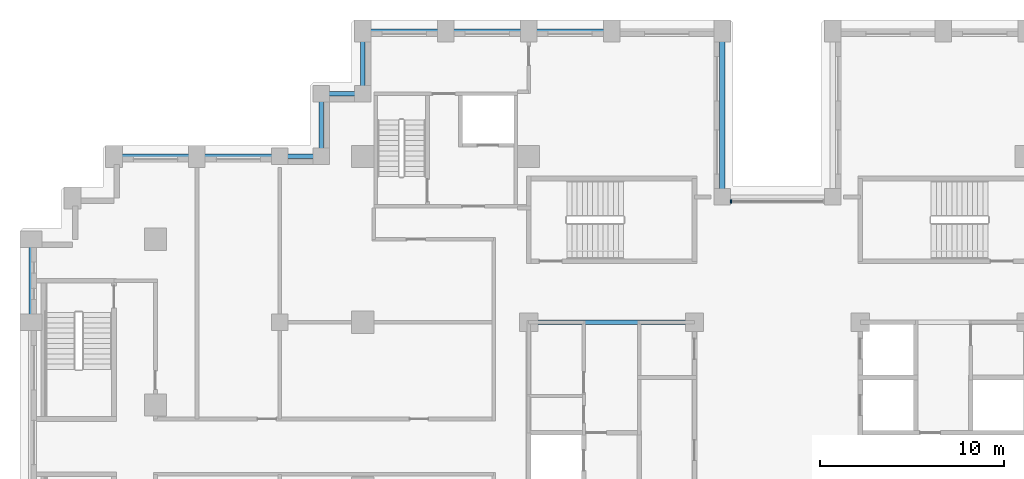
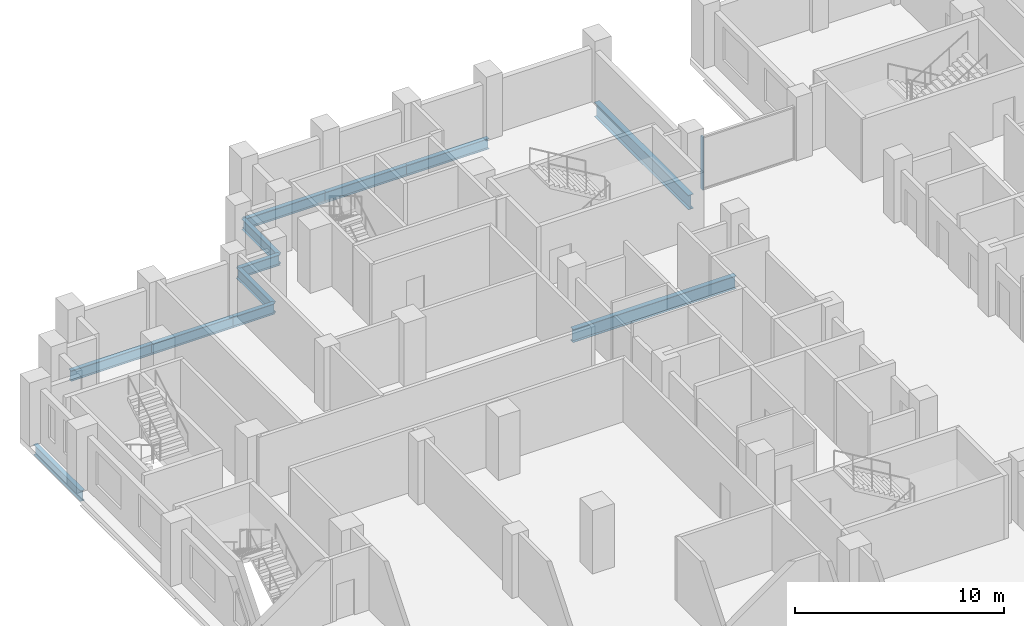
# One storey, part 3 of 16: 12 beams, 1 member, 1 element without a shape of its own.
"""IFC4 building model written with IfcOpenShell, lengths in metres."""

from ifc_helpers import new_model, si_unit, direction, frame, origin, origin_2d, place, context, subcontext, project, spatial, rectangle, i_section, extrude, material, layer, layer_set, material_profile, profile_set, type_object, element, aggregate, save


model = new_model("IFC4")

# Units and contexts
model_context = context("Model", 3, precision=1e-05, world=origin(), true_north=direction((0.0, 1.0)))
body_context = subcontext(model_context, "Body", "Model", "MODEL_VIEW")
ifc_project = project(units=[si_unit("LENGTHUNIT", "METRE"), si_unit("AREAUNIT", "SQUARE_METRE"), si_unit("VOLUMEUNIT", "CUBIC_METRE"), si_unit("PLANEANGLEUNIT", "RADIAN"), si_unit("MASSUNIT", "GRAM", prefix="KILO")], contexts=[model_context])

# Site, building, storey
site_placement = place(None, origin())
site = spatial("IfcSite", under=ifc_project, at=site_placement, CompositionType="ELEMENT")
building_placement = place(site_placement, origin())
building = spatial("IfcBuilding", under=site, at=building_placement, Name="Corbelhall Arena Tower", CompositionType="ELEMENT")
storey_placement = place(building_placement, frame((0.0, 0.0, 76.0)))
storey = spatial("IfcBuildingStorey", under=building, at=storey_placement, Name="L11", CompositionType="ELEMENT", Elevation=76.0)

# Curtain wall, member
ifc_material_1 = material(Name="Aluminium black anodised", Category="aluminium")
ifc_layer = layer(ifc_material_1, 0.199951171875)
ifc_layer_set = layer_set([ifc_layer], Name="EV-CW1 Slot back wall")
curtain_wall_type = type_object("IfcCurtainWallType", Name="EV-CW1 Slot back wall", PredefinedType="NOTDEFINED", material=ifc_layer_set)
curtain_wall_placement = place(storey_placement, origin())
curtain_wall = element("IfcCurtainWall", 1, at=curtain_wall_placement, inside=storey, type_object=curtain_wall_type, Name="Curtain wall CW1", PredefinedType="NOTDEFINED")
ifc_material_profile_1 = material_profile(ifc_material_1, rectangle(XDim=0.199951171875, YDim=0.074951171875, at=origin_2d()))
ifc_profile_set_1 = profile_set([ifc_material_profile_1], Name="Aluminium black anodised")
member_type = type_object("IfcMemberType", Name="EV-CW1-MULLION", PredefinedType="MULLION", material=ifc_profile_set_1)
member_placement = place(storey_placement, frame((-2.512451171875, 15.550048828125, 0.0), z_axis=(0.0, 0.0, 1.0), x_axis=(0.0, -1.0, 0.0)))
member = element("IfcMember", 2, at=member_placement, type_object=member_type, Name="CW1 mullion 2", PredefinedType="MULLION", context=body_context, shape_type="SweptSolid", body=[
    extrude(rectangle(XDim=0.199951171875, YDim=0.074951171875, at=origin_2d()), origin(), (0.0, 0.0, 1.0), 3.10009765625),
])
aggregate(curtain_wall, [member])

# Beams
ifc_material_2 = material(Name="Steel ASTM A992 Gr50", Category="steel")
ifc_material_profile_2 = material_profile(ifc_material_2, i_section(OverallWidth=0.2666015625, OverallDepth=0.761962890625, WebThickness=0.014404296875, FlangeThickness=0.021484375, at=origin_2d()))
ifc_profile_set_2 = profile_set([ifc_material_profile_2], Name="Steel ASTM A992 Gr50")
beam_type_1 = type_object("IfcBeamType", Name="ST-BEAM-W30x116", PredefinedType="BEAM", material=ifc_profile_set_2)
beam_1_placement = place(storey_placement, frame((-13.5, 9.0, -0.680908203125), z_axis=(1.0, 0.0, 0.0), x_axis=(0.0, 1.0, 0.0)))
element("IfcBeam", 3, at=beam_1_placement, inside=storey, type_object=beam_type_1, Name="Beam CEW 6", PredefinedType="BEAM", context=body_context, shape_type="SweptSolid", body=[
    extrude(i_section(OverallWidth=0.2666015625, OverallDepth=0.761962890625, WebThickness=0.014404296875, FlangeThickness=0.021484375, at=origin_2d()), origin(), (0.0, 0.0, 1.0), 9.0),
])
ifc_material_profile_3 = material_profile(ifc_material_2, i_section(OverallWidth=0.23046875, OverallDepth=0.6171875, WebThickness=0.01318359375, FlangeThickness=0.022216796875, at=origin_2d()))
ifc_profile_set_3 = profile_set([ifc_material_profile_3], Name="Steel ASTM A992 Gr50")
beam_type_2 = type_object("IfcBeamType", Name="ST-SPANDREL-W24x94", PredefinedType="SPANDREL", material=ifc_profile_set_3)
for number, where, z_axis, x_axis, name in (
    (4, (-40.5, 9.0, -0.608642578125), (0.0, 1.0, 0.0), (-1.0, 0.0, 0.0), "Beam SP 2"),
    (5, (-31.5, 18.0, -0.608642578125), (1.0, 0.0, 0.0), (0.0, 1.0, 0.0), "Beam SP 5"),
    (6, (-36.0, 18.0, -0.608642578125), (1.0, 0.0, 0.0), (0.0, 1.0, 0.0), "Beam SP 6"),
    (7, (-13.5, 24.800048828125, -0.608642578125), (1.0, 0.0, 0.0), (0.0, 1.0, 0.0), "Beam SP 24"),
    (8, (-18.0, 24.800048828125, -0.608642578125), (1.0, 0.0, 0.0), (0.0, 1.0, 0.0), "Beam SP 25"),
    (9, (-22.5, 24.800048828125, -0.608642578125), (1.0, 0.0, 0.0), (0.0, 1.0, 0.0), "Beam SP 26"),
):
    element("IfcBeam", number, at=place(storey_placement, frame(where, z_axis=z_axis, x_axis=x_axis)), inside=storey, type_object=beam_type_2, Name=name, PredefinedType="SPANDREL", context=body_context, shape_type="SweptSolid", body=[
        extrude(i_section(OverallWidth=0.23046875, OverallDepth=0.6171875, WebThickness=0.01318359375, FlangeThickness=0.022216796875, at=origin_2d()), origin(), (0.0, 0.0, 1.0), 4.5),
    ])
beam_2_placement = place(storey_placement, frame((-27.0, 18.0, -0.608642578125), z_axis=(1.0, 0.0, 0.0), x_axis=(0.0, 1.0, 0.0)))
element("IfcBeam", 10, at=beam_2_placement, inside=storey, type_object=beam_type_2, Name="Beam SP 37", PredefinedType="SPANDREL", context=body_context, shape_type="SweptSolid", body=[
    extrude(i_section(OverallWidth=0.23046875, OverallDepth=0.6171875, WebThickness=0.01318359375, FlangeThickness=0.022216796875, at=origin_2d()), origin(), (0.0, 0.0, 1.0), 2.25),
])
beam_3_placement = place(storey_placement, frame((-22.5, 21.39990234375, -0.608642578125), z_axis=(0.0, 1.0, 0.0), x_axis=(-1.0, 0.0, 0.0)))
element("IfcBeam", 11, at=beam_3_placement, inside=storey, type_object=beam_type_2, Name="Beam SP 46", PredefinedType="SPANDREL", context=body_context, shape_type="SweptSolid", body=[
    extrude(i_section(OverallWidth=0.23046875, OverallDepth=0.6171875, WebThickness=0.01318359375, FlangeThickness=0.022216796875, at=origin_2d()), origin(), (0.0, 0.0, 1.0), 3.400146484375),
])
beam_4_placement = place(storey_placement, frame((-24.75, 21.39990234375, -0.608642578125), z_axis=(1.0, 0.0, 0.0), x_axis=(0.0, 1.0, 0.0)))
element("IfcBeam", 12, at=beam_4_placement, inside=storey, type_object=beam_type_2, Name="Beam SP 47", PredefinedType="SPANDREL", context=body_context, shape_type="SweptSolid", body=[
    extrude(i_section(OverallWidth=0.23046875, OverallDepth=0.6171875, WebThickness=0.01318359375, FlangeThickness=0.022216796875, at=origin_2d()), origin(), (0.0, 0.0, 1.0), 2.25),
])
beam_5_placement = place(storey_placement, frame((-24.75, 18.0, -0.608642578125), z_axis=(0.0, 1.0, 0.0), x_axis=(-1.0, 0.0, 0.0)))
element("IfcBeam", 13, at=beam_5_placement, inside=storey, type_object=beam_type_2, Name="Beam SP 48", PredefinedType="SPANDREL", context=body_context, shape_type="SweptSolid", body=[
    extrude(i_section(OverallWidth=0.23046875, OverallDepth=0.6171875, WebThickness=0.01318359375, FlangeThickness=0.022216796875, at=origin_2d()), origin(), (0.0, 0.0, 1.0), 3.39990234375),
])
ifc_material_profile_4 = material_profile(ifc_material_2, i_section(OverallWidth=0.2919921875, OverallDepth=0.845703125, WebThickness=0.015380859375, FlangeThickness=0.0244140625, at=origin_2d()))
ifc_profile_set_4 = profile_set([ifc_material_profile_4], Name="Steel ASTM A992 Gr50")
beam_type_3 = type_object("IfcBeamType", Name="ST-SPANDREL-W33x141", PredefinedType="SPANDREL", material=ifc_profile_set_4)
beam_6_placement = place(storey_placement, frame((-3.0, 24.800048828125, -0.722900390625), z_axis=(0.0, -1.0, 0.0), x_axis=(1.0, 0.0, 0.0)))
element("IfcBeam", 14, at=beam_6_placement, inside=storey, type_object=beam_type_3, Name="Beam SP 22", PredefinedType="SPANDREL", context=body_context, shape_type="SweptSolid", body=[
    extrude(i_section(OverallWidth=0.2919921875, OverallDepth=0.845703125, WebThickness=0.015380859375, FlangeThickness=0.0244140625, at=origin_2d()), origin(), (0.0, 0.0, 1.0), 9.0),
])

save(model, "model.ifc")
